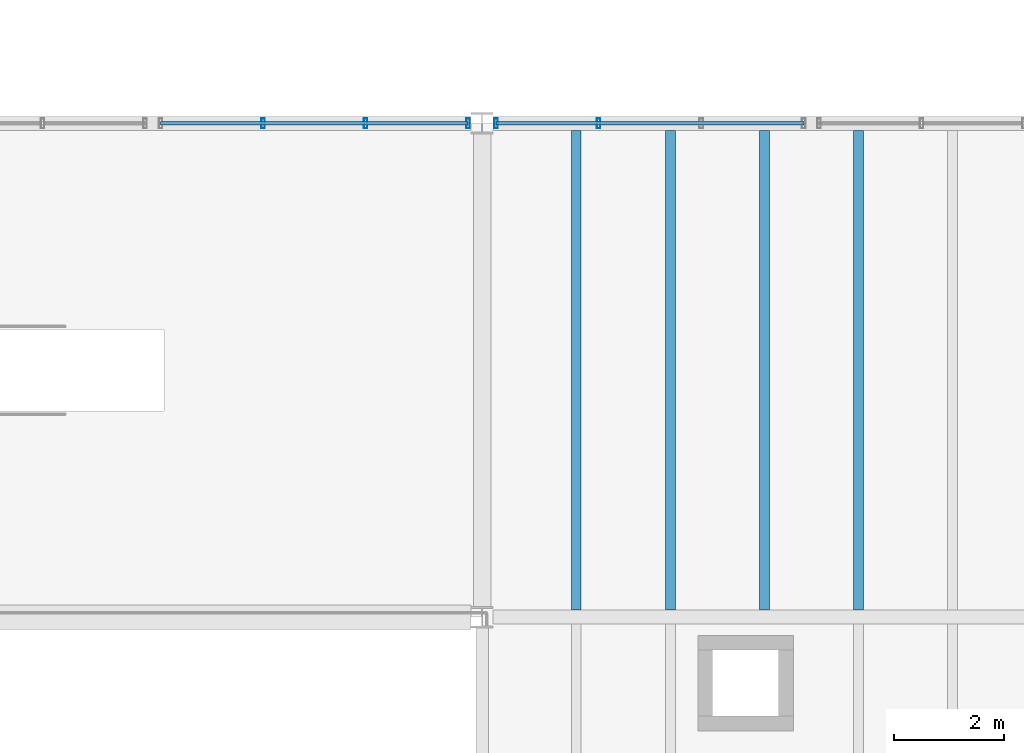
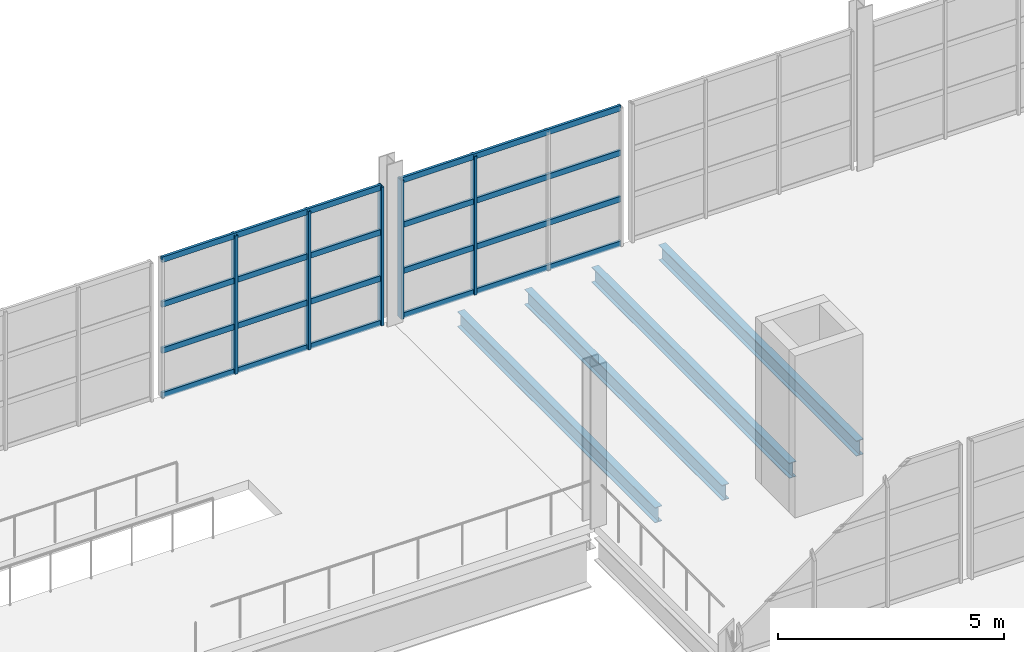
# One storey, part 28 of 78: 13 members, 4 beams, 2 elements without a shape of their own.
"""IFC4 building model written with IfcOpenShell, lengths in metres."""

from ifc_helpers import new_model, si_unit, direction, frame, origin, origin_2d, place, context, subcontext, project, spatial, hollow_rectangle, i_section, extrude, material, material_profile, profile_set, type_object, element, aggregate, save


model = new_model("IFC4")

# Units and contexts
model_context = context("Model", 3, precision=1e-05, world=origin(), true_north=direction((0.0, 1.0)))
body_context = subcontext(model_context, "Body", "Model", "MODEL_VIEW")
ifc_project = project(units=[si_unit("LENGTHUNIT", "METRE"), si_unit("AREAUNIT", "SQUARE_METRE"), si_unit("VOLUMEUNIT", "CUBIC_METRE"), si_unit("PLANEANGLEUNIT", "RADIAN"), si_unit("MASSUNIT", "GRAM", prefix="KILO")], contexts=[model_context])

# Site, building, storey
site_placement = place(None, origin())
site = spatial("IfcSite", under=ifc_project, at=site_placement, CompositionType="ELEMENT")
building_placement = place(site_placement, origin())
building = spatial("IfcBuilding", under=site, at=building_placement, Name="Kelmvaro Bay Concert Hall", CompositionType="ELEMENT")
storey_placement = place(building_placement, frame((0.0, 0.0, 9.300048828125)))
storey = spatial("IfcBuildingStorey", under=building, at=storey_placement, Name="L02", CompositionType="ELEMENT", Elevation=9.300048828125)

# Curtain wall, members
ifc_material_1 = material(Name="Anodised Aluminium and Low-E Insulated Glazing", Category="aluminium")
curtain_wall_type = type_object("IfcCurtainWallType", Name="Upper Salon Waterfront Curtain Wall 4050", PredefinedType="USERDEFINED", material=ifc_material_1)
curtain_wall_1_placement = place(storey_placement, origin())
curtain_wall_1 = element("IfcCurtainWall", 1, at=curtain_wall_1_placement, inside=storey, type_object=curtain_wall_type, Name="Unitised Curtain Wall CW-L02-092", ObjectType="UNITISED GLAZING", PredefinedType="USERDEFINED")
ifc_material_2 = material(Name="Anodised Extruded Aluminium 6063-T6", Category="aluminium")
ifc_material_profile_1 = material_profile(ifc_material_2, hollow_rectangle(XDim=0.06494140625, YDim=0.179931640625, WallThickness=0.00390625, at=origin_2d()), Name="ALU-MUL-180X65")
ifc_profile_set_1 = profile_set([ifc_material_profile_1], Name="Anodised Extruded Aluminium 6063-T6")
member_type_1 = type_object("IfcMemberType", Name="Curtain Mullion ALU 180x65", PredefinedType="MULLION", material=ifc_profile_set_1)
member_1_placement = place(storey_placement, frame((80.008544921875, 39.0, 0.0), z_axis=(0.0, 0.0, 1.0), x_axis=(1.0, 0.0, 0.0)))
member_1 = element("IfcMember", 2, at=member_1_placement, type_object=member_type_1, Name="CW-L02-092 Mullion 02", PredefinedType="MULLION", context=body_context, shape_type="SweptSolid", body=[
    extrude(hollow_rectangle(XDim=0.06494140625, YDim=0.179931640625, WallThickness=0.00390625, at=origin_2d()), origin(), (0.0, 0.0, 1.0), 3.739013671875),
])
member_2_placement = place(storey_placement, frame((81.876953125, 39.0, 0.0), z_axis=(0.0, 0.0, 1.0), x_axis=(1.0, 0.0, 0.0)))
member_2 = element("IfcMember", 3, at=member_2_placement, type_object=member_type_1, Name="CW-L02-092 Mullion 03", PredefinedType="MULLION", context=body_context, shape_type="SweptSolid", body=[
    extrude(hollow_rectangle(XDim=0.06494140625, YDim=0.179931640625, WallThickness=0.00390625, at=origin_2d()), origin(), (0.0, 0.0, 1.0), 3.739013671875),
])
member_3_placement = place(storey_placement, frame((83.74560546875, 39.0, 0.0), z_axis=(0.0, 0.0, 1.0), x_axis=(1.0, 0.0, 0.0)))
member_3 = element("IfcMember", 4, at=member_3_placement, type_object=member_type_1, Name="CW-L02-092 Mullion 04", PredefinedType="MULLION", context=body_context, shape_type="SweptSolid", body=[
    extrude(hollow_rectangle(XDim=0.06494140625, YDim=0.179931640625, WallThickness=0.00390625, at=origin_2d()), origin(), (0.0, 0.0, 1.0), 3.739013671875),
])

curtain_wall_2_placement = place(storey_placement, origin())
curtain_wall_2 = element("IfcCurtainWall", 5, at=curtain_wall_2_placement, inside=storey, type_object=curtain_wall_type, Name="Unitised Curtain Wall CW-L02-093", ObjectType="UNITISED GLAZING", PredefinedType="USERDEFINED")
member_4_placement = place(storey_placement, frame((84.25439453125, 39.0, 0.0), z_axis=(0.0, 0.0, 1.0), x_axis=(1.0, 0.0, 0.0)))
member_4 = element("IfcMember", 6, at=member_4_placement, type_object=member_type_1, Name="CW-L02-093 Mullion 01", PredefinedType="MULLION", context=body_context, shape_type="SweptSolid", body=[
    extrude(hollow_rectangle(XDim=0.06494140625, YDim=0.179931640625, WallThickness=0.00390625, at=origin_2d()), origin(), (0.0, 0.0, 1.0), 3.739013671875),
])
member_5_placement = place(storey_placement, frame((86.123046875, 39.0, 0.0), z_axis=(0.0, 0.0, 1.0), x_axis=(1.0, 0.0, 0.0)))
member_5 = element("IfcMember", 7, at=member_5_placement, type_object=member_type_1, Name="CW-L02-093 Mullion 02", PredefinedType="MULLION", context=body_context, shape_type="SweptSolid", body=[
    extrude(hollow_rectangle(XDim=0.06494140625, YDim=0.179931640625, WallThickness=0.00390625, at=origin_2d()), origin(), (0.0, 0.0, 1.0), 3.739013671875),
])

# Member
ifc_material_3 = material(Name="Anodised Extruded Aluminium 6063-T6", Category="aluminium")
ifc_material_profile_2 = material_profile(ifc_material_3, hollow_rectangle(XDim=0.06494140625, YDim=0.14990234375, WallThickness=0.00390625, at=origin_2d()), Name="ALU-TRN-150X65")
ifc_profile_set_2 = profile_set([ifc_material_profile_2], Name="Anodised Extruded Aluminium 6063-T6")
member_type_2 = type_object("IfcMemberType", Name="Curtain Transom ALU 150x65", PredefinedType="USERDEFINED", material=ifc_profile_set_2)
member_6_placement = place(storey_placement, frame((78.139892578125, 39.0, 0.0400390625), z_axis=(1.0, 0.0, 0.0), x_axis=(0.0, 1.0, 0.0)))
member_6 = element("IfcMember", 8, at=member_6_placement, type_object=member_type_2, Name="CW-L02-092 Transom 01", ObjectType="TRANSOM", PredefinedType="USERDEFINED", context=body_context, shape_type="SweptSolid", body=[
    extrude(hollow_rectangle(XDim=0.06494140625, YDim=0.14990234375, WallThickness=0.00390625, at=origin_2d()), origin(), (0.0, 0.0, 1.0), 5.605712890625),
])

member_7_placement = place(storey_placement, frame((78.139892578125, 39.0, 1.246337890625), z_axis=(1.0, 0.0, 0.0), x_axis=(0.0, 1.0, 0.0)))
member_7 = element("IfcMember", 9, at=member_7_placement, type_object=member_type_2, Name="CW-L02-092 Transom 02", ObjectType="TRANSOM", PredefinedType="USERDEFINED", context=body_context, shape_type="SweptSolid", body=[
    extrude(hollow_rectangle(XDim=0.06494140625, YDim=0.14990234375, WallThickness=0.00390625, at=origin_2d()), origin(), (0.0, 0.0, 1.0), 5.605712890625),
])

member_8_placement = place(storey_placement, frame((78.139892578125, 39.0, 2.49267578125), z_axis=(1.0, 0.0, 0.0), x_axis=(0.0, 1.0, 0.0)))
member_8 = element("IfcMember", 10, at=member_8_placement, type_object=member_type_2, Name="CW-L02-092 Transom 03", ObjectType="TRANSOM", PredefinedType="USERDEFINED", context=body_context, shape_type="SweptSolid", body=[
    extrude(hollow_rectangle(XDim=0.06494140625, YDim=0.14990234375, WallThickness=0.00390625, at=origin_2d()), origin(), (0.0, 0.0, 1.0), 5.605712890625),
])

member_9_placement = place(storey_placement, frame((78.139892578125, 39.0, 3.698974609375), z_axis=(1.0, 0.0, 0.0), x_axis=(0.0, 1.0, 0.0)))
member_9 = element("IfcMember", 11, at=member_9_placement, type_object=member_type_2, Name="CW-L02-092 Transom 04", ObjectType="TRANSOM", PredefinedType="USERDEFINED", context=body_context, shape_type="SweptSolid", body=[
    extrude(hollow_rectangle(XDim=0.06494140625, YDim=0.14990234375, WallThickness=0.00390625, at=origin_2d()), origin(), (0.0, 0.0, 1.0), 5.605712890625),
])

aggregate(curtain_wall_1, [member_1, member_2, member_3, member_6, member_7, member_8, member_9])

member_10_placement = place(storey_placement, frame((84.25439453125, 39.0, 0.0400390625), z_axis=(1.0, 0.0, 0.0), x_axis=(0.0, 1.0, 0.0)))
member_10 = element("IfcMember", 12, at=member_10_placement, type_object=member_type_2, Name="CW-L02-093 Transom 01", ObjectType="TRANSOM", PredefinedType="USERDEFINED", context=body_context, shape_type="SweptSolid", body=[
    extrude(hollow_rectangle(XDim=0.06494140625, YDim=0.14990234375, WallThickness=0.00390625, at=origin_2d()), origin(), (0.0, 0.0, 1.0), 5.605712890625),
])

member_11_placement = place(storey_placement, frame((84.25439453125, 39.0, 1.246337890625), z_axis=(1.0, 0.0, 0.0), x_axis=(0.0, 1.0, 0.0)))
member_11 = element("IfcMember", 13, at=member_11_placement, type_object=member_type_2, Name="CW-L02-093 Transom 02", ObjectType="TRANSOM", PredefinedType="USERDEFINED", context=body_context, shape_type="SweptSolid", body=[
    extrude(hollow_rectangle(XDim=0.06494140625, YDim=0.14990234375, WallThickness=0.00390625, at=origin_2d()), origin(), (0.0, 0.0, 1.0), 5.605712890625),
])

member_12_placement = place(storey_placement, frame((84.25439453125, 39.0, 2.49267578125), z_axis=(1.0, 0.0, 0.0), x_axis=(0.0, 1.0, 0.0)))
member_12 = element("IfcMember", 14, at=member_12_placement, type_object=member_type_2, Name="CW-L02-093 Transom 03", ObjectType="TRANSOM", PredefinedType="USERDEFINED", context=body_context, shape_type="SweptSolid", body=[
    extrude(hollow_rectangle(XDim=0.06494140625, YDim=0.14990234375, WallThickness=0.00390625, at=origin_2d()), origin(), (0.0, 0.0, 1.0), 5.605712890625),
])

member_13_placement = place(storey_placement, frame((84.25439453125, 39.0, 3.698974609375), z_axis=(1.0, 0.0, 0.0), x_axis=(0.0, 1.0, 0.0)))
member_13 = element("IfcMember", 15, at=member_13_placement, type_object=member_type_2, Name="CW-L02-093 Transom 04", ObjectType="TRANSOM", PredefinedType="USERDEFINED", context=body_context, shape_type="SweptSolid", body=[
    extrude(hollow_rectangle(XDim=0.06494140625, YDim=0.14990234375, WallThickness=0.00390625, at=origin_2d()), origin(), (0.0, 0.0, 1.0), 5.605712890625),
])

aggregate(curtain_wall_2, [member_4, member_5, member_10, member_11, member_12, member_13])

# Beams
ifc_material_4 = material(Name="Steel ASTM A992 Grade 50", Category="steel")
ifc_material_profile_3 = material_profile(ifc_material_4, i_section(OverallWidth=0.179931640625, OverallDepth=0.4140625, WebThickness=0.009765625, FlangeThickness=0.01611328125, at=origin_2d()), Name="W16X50")
ifc_profile_set_3 = profile_set([ifc_material_profile_3], Name="Steel ASTM A992 Grade 50")
beam_type = type_object("IfcBeamType", Name="Terrace Composite Joist W16x50", PredefinedType="JOIST", material=ifc_profile_set_3)
for number, where, z_axis, x_axis, name in (
    (16, (85.71435546875, 30.1279296875, -0.45703125), (0.0, 1.0, 0.0), (-1.0, 0.0, 0.0), "L02 Floor Joist JST-L02-1054"),
    (17, (87.4287109375, 30.1279296875, -0.45703125), (0.0, 1.0, 0.0), (-1.0, 0.0, 0.0), "L02 Floor Joist JST-L02-1055"),
    (18, (89.142822265625, 30.1279296875, -0.45703125), (0.0, 1.0, 0.0), (-1.0, 0.0, 0.0), "L02 Floor Joist JST-L02-1056"),
    (19, (90.857177734375, 30.1279296875, -0.45703125), (0.0, 1.0, 0.0), (-1.0, 0.0, 0.0), "L02 Floor Joist JST-L02-1057"),
):
    element("IfcBeam", number, at=place(storey_placement, frame(where, z_axis=z_axis, x_axis=x_axis)), inside=storey, type_object=beam_type, Name=name, PredefinedType="JOIST", context=body_context, shape_type="SweptSolid", body=[
        extrude(i_section(OverallWidth=0.179931640625, OverallDepth=0.4140625, WebThickness=0.009765625, FlangeThickness=0.01611328125, at=origin_2d()), origin(), (0.0, 0.0, 1.0), 8.744140625),
    ])

save(model, "model.ifc")
